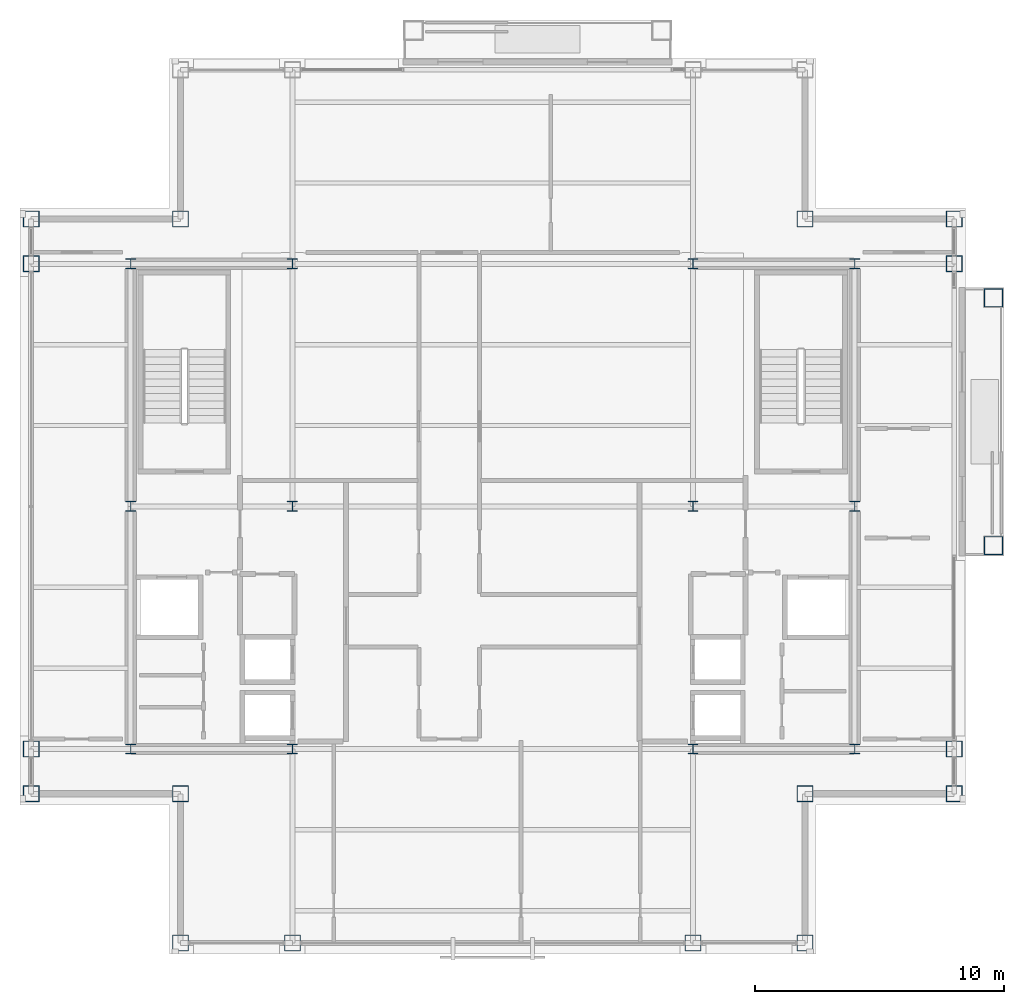
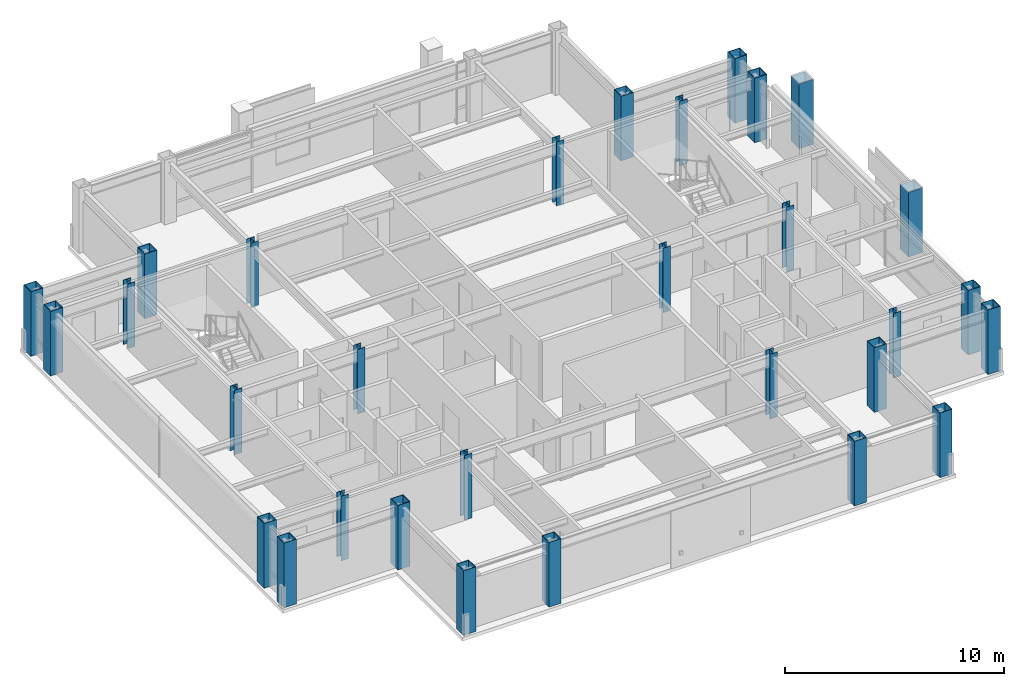
# One storey, part 1 of 24: 30 columns.
"""IFC4 building model written with IfcOpenShell, lengths in metres."""

import ifcopenshell
import ifcopenshell.guid

model = None  # the IFC model being written
_history = None  # IfcOwnerHistory: only IFC2X3 demands one
_inside = {}  # id of a spatial element -> (the spatial element, [elements in it])
_under = {}  # id of a project, library or spatial element -> (it, [spatial elements below it])
_declared = {}  # id of a project -> (the project, [libraries it declares])
_typed = {}  # id of a type object -> (the type object, [elements of that type])
_made_of = {}  # id of a material, layer set ... -> (it, [elements and type objects made of it])


def new_model(schema):
    """Start an empty IFC model of exactly this schema.

    Asked for "IFC4X3", IfcOpenShell would pick the latest addendum, in which some entities
    have other attributes; the version numbers below select the first issue.
    IFC2X3 requires an IfcOwnerHistory on every rooted entity: one is made here for all.
    """
    global model, _history
    if schema == "IFC4X3":
        model = ifcopenshell.file(schema_version=(4, 3, 0, 0))
    else:
        model = ifcopenshell.file(schema=schema)
    _inside.clear()
    _under.clear()
    _declared.clear()
    _typed.clear()
    _made_of.clear()
    _history = None
    if model.schema == "IFC2X3":
        org = make("IfcOrganization", Name="unknown")
        user = make(
            "IfcPersonAndOrganization",
            ThePerson=make("IfcPerson", FamilyName="unknown"),
            TheOrganization=org,
        )
        app = make(
            "IfcApplication",
            ApplicationDeveloper=org,
            Version="unknown",
            ApplicationFullName="unknown",
            ApplicationIdentifier="unknown",
        )
        _history = make(
            "IfcOwnerHistory",
            OwningUser=user,
            OwningApplication=app,
            ChangeAction="ADDED",
            CreationDate=0,
        )
    return model


def make(cls, **values):
    """One entity of the class cls with the attributes given. An attribute that is None is left unset."""
    return model.create_entity(
        cls, **{name: value for name, value in values.items() if value is not None}
    )


def rooted(cls, **values):
    """An entity with a GlobalId (a new one), such as an element, a storey or a relation."""
    return make(cls, GlobalId=ifcopenshell.guid.new(), OwnerHistory=_history, **values)


def si_unit(unit_type, name, prefix=None):
    """IfcSIUnit, for example si_unit("LENGTHUNIT", "METRE", prefix="MILLI")."""
    return make("IfcSIUnit", UnitType=unit_type, Prefix=prefix, Name=name)


def assignment(units):
    """IfcUnitAssignment: the units of a project."""
    return None if units is None else make("IfcUnitAssignment", Units=units)


def point(xyz):
    """IfcCartesianPoint."""
    return None if xyz is None else make("IfcCartesianPoint", Coordinates=xyz)


def direction(xyz):
    """IfcDirection."""
    return None if xyz is None else make("IfcDirection", DirectionRatios=xyz)


def frame(location, z_axis=None, x_axis=None):
    """IfcAxis2Placement3D, a coordinate frame: its origin and axes. An axis left out is left unset."""
    return make(
        "IfcAxis2Placement3D",
        Location=point(location),
        Axis=direction(z_axis),
        RefDirection=direction(x_axis),
    )


def frame_2d(location, x_axis=None):
    """IfcAxis2Placement2D, a coordinate frame in the plane: its origin and x axis."""
    return make(
        "IfcAxis2Placement2D", Location=point(location), RefDirection=direction(x_axis)
    )


def origin():
    """The frame at (0, 0, 0) with its axes left unset."""
    return frame((0.0, 0.0, 0.0))


def origin_2d():
    """The frame at (0, 0) in the plane with its x axis left unset."""
    return frame_2d((0.0, 0.0))


def place(relative_to, where):
    """IfcLocalPlacement: puts the frame where relative to a parent placement (None: the world)."""
    return make(
        "IfcLocalPlacement", PlacementRelTo=relative_to, RelativePlacement=where
    )


def context(
    kind, dimensions, precision=None, world=None, true_north=None, identifier=None
):
    """IfcGeometricRepresentationContext, for example the 3D "Model" context."""
    return make(
        "IfcGeometricRepresentationContext",
        ContextIdentifier=identifier,
        ContextType=kind,
        CoordinateSpaceDimension=dimensions,
        Precision=precision,
        WorldCoordinateSystem=world,
        TrueNorth=true_north,
    )


def subcontext(parent, identifier, kind, view, scale=None):
    """IfcGeometricRepresentationSubContext, for example "Body" below "Model"."""
    return make(
        "IfcGeometricRepresentationSubContext",
        ContextIdentifier=identifier,
        ContextType=kind,
        ParentContext=parent,
        TargetScale=scale,
        TargetView=view,
    )


def project(units=None, contexts=None):
    """IfcProject with its units and contexts."""
    return rooted(
        "IfcProject",
        Name="project",
        RepresentationContexts=contexts,
        UnitsInContext=assignment(units),
    )


def spatial(cls, under=None, at=None, **own):
    """A site, building, storey or space (cls), placed at a placement, below another one or the project."""
    s = rooted(cls, ObjectPlacement=at, **own)
    if under is not None:
        _under.setdefault(under.id(), (under, []))[1].append(s)
    return s


def profile(cls, at=None, kind="AREA", **sizes):
    """A parametric profile (cls). Its sizes go by their IFC names, for example OverallWidth=200.0."""
    return make(cls, ProfileType=kind, Position=at, **sizes)


def hollow_rectangle(**sizes):
    """IfcRectangleHollowProfileDef."""
    return profile("IfcRectangleHollowProfileDef", **sizes)


def i_section(**sizes):
    """IfcIShapeProfileDef."""
    return profile("IfcIShapeProfileDef", **sizes)


def extrude(swept, where, along, depth):
    """IfcExtrudedAreaSolid: the profile swept, set in the frame where, extruded along a direction by depth."""
    return make(
        "IfcExtrudedAreaSolid",
        SweptArea=swept,
        Position=where,
        ExtrudedDirection=direction(along),
        Depth=depth,
    )


def shape(context_of_items, identifier, shape_type, items):
    """IfcShapeRepresentation: the items that make up one representation, for example the "Body"."""
    return make(
        "IfcShapeRepresentation",
        ContextOfItems=context_of_items,
        RepresentationIdentifier=identifier,
        RepresentationType=shape_type,
        Items=items,
    )


def material(Name=None, Category=None):
    """IfcMaterial."""
    return make("IfcMaterial", Name=Name, Category=Category)


def material_profile(
    of_material, cross_section, Name=None, Category=None, Priority=None
):
    """IfcMaterialProfile: a cross section and its material."""
    return make(
        "IfcMaterialProfile",
        Name=Name,
        Material=of_material,
        Profile=cross_section,
        Priority=Priority,
        Category=Category,
    )


def profile_set(profiles, Name=None, composite=None):
    """IfcMaterialProfileSet."""
    return make(
        "IfcMaterialProfileSet",
        Name=Name,
        MaterialProfiles=profiles,
        CompositeProfile=composite,
    )


def made_of(thing, what):
    """Note that an element or type object is made of a material, layer set ...; save() writes the relation."""
    if what is not None:
        _made_of.setdefault(what.id(), (what, []))[1].append(thing)
    return thing


def type_object(cls, material=None, **own):
    """A type object (cls), such as IfcWallType, which elements share."""
    return made_of(rooted(cls, **own), material)


def element(
    cls,
    number,
    at=None,
    inside=None,
    cuts=None,
    type_object=None,
    material=None,
    context=None,
    identifier="Body",
    shape_type=None,
    held_by="IfcProductDefinitionShape",
    body=None,
    shapes=None,
    **own,
):
    """One element of the class cls, such as IfcWall. Its Tag is "e" and its number.

    at: its placement. inside: the storey or other place that contains it. cuts: it is an
    opening in that element (IfcRelVoidsElement). A single representation is given by context,
    identifier, shape_type and body (its items); several are given by shapes. held_by: the class
    of the entity that holds the representations. save() writes the other relations.
    """
    e = rooted(cls, Tag="e%d" % number, ObjectPlacement=at, **own)
    if body is not None:
        shapes = [shape(context, identifier, shape_type, body)]
    if shapes is not None:
        e.Representation = make(held_by, Representations=shapes)
    if inside is not None:
        _inside.setdefault(inside.id(), (inside, []))[1].append(e)
    if cuts is not None:
        rooted(
            "IfcRelVoidsElement", RelatingBuildingElement=cuts, RelatedOpeningElement=e
        )
    if type_object is not None:
        _typed.setdefault(type_object.id(), (type_object, []))[1].append(e)
    return made_of(e, material)


def aggregate(whole, parts):
    """IfcRelAggregates: a whole, such as a stair, and the parts it consists of."""
    return rooted("IfcRelAggregates", RelatingObject=whole, RelatedObjects=parts)


def save(model, path):
    """Write the relations noted so far, then the file.

    IfcRelAggregates (storeys below a building ...), IfcRelContainedInSpatialStructure (elements
    in a storey), IfcRelDefinesByType, IfcRelAssociatesMaterial and IfcRelDeclares: one each for
    every whole, place, type object, material and project.
    """
    for whole, parts in _under.values():
        aggregate(whole, parts)
    for where, things in _inside.values():
        rooted(
            "IfcRelContainedInSpatialStructure",
            RelatedElements=things,
            RelatingStructure=where,
        )
    for kind, things in _typed.values():
        rooted("IfcRelDefinesByType", RelatedObjects=things, RelatingType=kind)
    for what, things in _made_of.values():
        rooted("IfcRelAssociatesMaterial", RelatedObjects=things, RelatingMaterial=what)
    for by, libraries in _declared.values():
        rooted("IfcRelDeclares", RelatingContext=by, RelatedDefinitions=libraries)
    model.write(path)


model = new_model("IFC4")

# Units and contexts
model_context = context("Model", 3, precision=1e-05, world=origin(), true_north=direction((0.0, 1.0)))
body_context = subcontext(model_context, "Body", "Model", "MODEL_VIEW")
ifc_project = project(units=[si_unit("LENGTHUNIT", "METRE"), si_unit("AREAUNIT", "SQUARE_METRE"), si_unit("VOLUMEUNIT", "CUBIC_METRE"), si_unit("PLANEANGLEUNIT", "RADIAN"), si_unit("MASSUNIT", "GRAM", prefix="KILO")], contexts=[model_context])

# Site, building, storey
site_placement = place(None, origin())
site = spatial("IfcSite", under=ifc_project, at=site_placement, CompositionType="ELEMENT")
building_placement = place(site_placement, origin())
building = spatial("IfcBuilding", under=site, at=building_placement, Name="Brelmoor Portico Tower", CompositionType="ELEMENT")
storey_placement = place(building_placement, frame((0.0, 0.0, 232.800048828125)))
storey = spatial("IfcBuildingStorey", under=building, at=storey_placement, Name="L61", CompositionType="ELEMENT", Elevation=232.800048828125)

# Columns
ifc_material = material(Name="Steel Q355B", Category="steel")
ifc_material_profile_1 = material_profile(ifc_material, hollow_rectangle(XDim=0.64990234375, YDim=0.64990234375, WallThickness=0.028076171875, at=origin_2d()), Name="BOX 650x650x28")
ifc_profile_set_1 = profile_set([ifc_material_profile_1], Name="Steel Q355B")
column_type_1 = type_object("IfcColumnType", Name="COL-MEGA-650", PredefinedType="COLUMN", material=ifc_profile_set_1)
for number, where, z_axis, x_axis, name in (
    (1, (-12.550048828125, -17.550048828125, 0.0), (0.0, 0.0, 1.0), (1.0, 0.0, 0.0), "L61 Perimeter Mega-Column PS01"),
    (2, (-8.050048828125, -17.550048828125, 0.0), (0.0, 0.0, 1.0), (1.0, 0.0, 0.0), "L61 Perimeter Mega-Column PS02"),
    (3, (8.050048828125, -17.550048828125, 0.0), (0.0, 0.0, 1.0), (1.0, 0.0, 0.0), "L61 Perimeter Mega-Column PS03"),
    (4, (12.550048828125, -17.550048828125, 0.0), (0.0, 0.0, 1.0), (1.0, 0.0, 0.0), "L61 Perimeter Mega-Column PS04"),
    (5, (-18.550048828125, -11.550048828125, 0.0), (0.0, 0.0, 1.0), (0.0, 1.0, 0.0), "L61 Perimeter Mega-Column PW01"),
    (6, (-18.550048828125, -9.75, 0.0), (0.0, 0.0, 1.0), (0.0, 1.0, 0.0), "L61 Perimeter Mega-Column PW02"),
    (7, (-18.550048828125, 9.75, 0.0), (0.0, 0.0, 1.0), (0.0, 1.0, 0.0), "L61 Perimeter Mega-Column PW03"),
    (8, (-18.550048828125, 11.550048828125, 0.0), (0.0, 0.0, 1.0), (0.0, 1.0, 0.0), "L61 Perimeter Mega-Column PW04"),
    (9, (18.550048828125, -11.550048828125, 0.0), (0.0, 0.0, 1.0), (0.0, 1.0, 0.0), "L61 Perimeter Mega-Column PE01"),
    (10, (18.550048828125, -9.75, 0.0), (0.0, 0.0, 1.0), (0.0, 1.0, 0.0), "L61 Perimeter Mega-Column PE02"),
    (11, (18.550048828125, 9.75, 0.0), (0.0, 0.0, 1.0), (0.0, 1.0, 0.0), "L61 Perimeter Mega-Column PE03"),
    (12, (18.550048828125, 11.550048828125, 0.0), (0.0, 0.0, 1.0), (0.0, 1.0, 0.0), "L61 Perimeter Mega-Column PE04"),
    (13, (-12.550048828125, 11.550048828125, 0.0), (0.0, 0.0, 1.0), (1.0, 0.0, 0.0), "L61 Perimeter Mega-Column PC-NW"),
    (14, (12.550048828125, 11.550048828125, 0.0), (0.0, 0.0, 1.0), (1.0, 0.0, 0.0), "L61 Perimeter Mega-Column PC-NE"),
    (15, (12.550048828125, -11.550048828125, 0.0), (0.0, 0.0, 1.0), (1.0, 0.0, 0.0), "L61 Perimeter Mega-Column PC-SE"),
    (16, (-12.550048828125, -11.550048828125, 0.0), (0.0, 0.0, 1.0), (1.0, 0.0, 0.0), "L61 Perimeter Mega-Column PC-SW"),
):
    element("IfcColumn", number, at=place(storey_placement, frame(where, z_axis=z_axis, x_axis=x_axis)), inside=storey, type_object=column_type_1, Name=name, PredefinedType="COLUMN", context=body_context, shape_type="SweptSolid", body=[
        extrude(hollow_rectangle(XDim=0.64990234375, YDim=0.64990234375, WallThickness=0.028076171875, at=origin_2d()), origin(), (0.0, 0.0, 1.0), 3.599853515625),
    ])
ifc_material_profile_2 = material_profile(ifc_material, hollow_rectangle(XDim=0.75, YDim=0.75, WallThickness=0.031982421875, at=origin_2d()), Name="BOX 750x750x32")
ifc_profile_set_2 = profile_set([ifc_material_profile_2], Name="Steel Q355B")
column_type_2 = type_object("IfcColumnType", Name="COL-MEGA-750", PredefinedType="COLUMN", material=ifc_profile_set_2)
for number, where, z_axis, x_axis, name in (
    (17, (20.1298828125, -1.580078125, 0.0), (0.0, 0.0, 1.0), (0.0, 1.0, 0.0), "L61 Proud Picture-Frame Pier PFJ-E1"),
    (18, (20.1298828125, 8.3798828125, 0.0), (0.0, 0.0, 1.0), (0.0, 1.0, 0.0), "L61 Proud Picture-Frame Pier PFJ-E2"),
):
    element("IfcColumn", number, at=place(storey_placement, frame(where, z_axis=z_axis, x_axis=x_axis)), inside=storey, type_object=column_type_2, Name=name, PredefinedType="COLUMN", context=body_context, shape_type="SweptSolid", body=[
        extrude(hollow_rectangle(XDim=0.75, YDim=0.75, WallThickness=0.031982421875, at=origin_2d()), origin(), (0.0, 0.0, 1.0), 3.599853515625),
    ])
ifc_material_profile_3 = material_profile(ifc_material, i_section(OverallWidth=0.39990234375, OverallDepth=0.39990234375, WebThickness=0.012939453125, FlangeThickness=0.02099609375, at=origin_2d()), Name="HW 400x400x13x21")
ifc_profile_set_3 = profile_set([ifc_material_profile_3], Name="Steel Q355B")
column_type_3 = type_object("IfcColumnType", Name="COL-SPINE-400", PredefinedType="COLUMN", material=ifc_profile_set_3)
for number, where, z_axis, x_axis, name in (
    (19, (-14.550048828125, -9.75, 0.0), (0.0, 0.0, 1.0), (1.0, 0.0, 0.0), "L61 Core Spine Column CW-SW"),
    (20, (-14.550048828125, 0.0, 0.0), (0.0, 0.0, 1.0), (1.0, 0.0, 0.0), "L61 Core Spine Column CW-MW"),
    (21, (-14.550048828125, 9.75, 0.0), (0.0, 0.0, 1.0), (1.0, 0.0, 0.0), "L61 Core Spine Column CW-NW"),
    (22, (-8.050048828125, -9.75, 0.0), (0.0, 0.0, 1.0), (1.0, 0.0, 0.0), "L61 Core Spine Column CW-SE"),
    (23, (-8.050048828125, 0.0, 0.0), (0.0, 0.0, 1.0), (1.0, 0.0, 0.0), "L61 Core Spine Column CW-ME"),
    (24, (-8.050048828125, 9.75, 0.0), (0.0, 0.0, 1.0), (1.0, 0.0, 0.0), "L61 Core Spine Column CW-NE"),
    (25, (8.050048828125, -9.75, 0.0), (0.0, 0.0, 1.0), (1.0, 0.0, 0.0), "L61 Core Spine Column CE-SW"),
    (26, (8.050048828125, 0.0, 0.0), (0.0, 0.0, 1.0), (1.0, 0.0, 0.0), "L61 Core Spine Column CE-MW"),
    (27, (8.050048828125, 9.75, 0.0), (0.0, 0.0, 1.0), (1.0, 0.0, 0.0), "L61 Core Spine Column CE-NW"),
    (28, (14.550048828125, -9.75, 0.0), (0.0, 0.0, 1.0), (1.0, 0.0, 0.0), "L61 Core Spine Column CE-SE"),
    (29, (14.550048828125, 0.0, 0.0), (0.0, 0.0, 1.0), (1.0, 0.0, 0.0), "L61 Core Spine Column CE-ME"),
    (30, (14.550048828125, 9.75, 0.0), (0.0, 0.0, 1.0), (1.0, 0.0, 0.0), "L61 Core Spine Column CE-NE"),
):
    element("IfcColumn", number, at=place(storey_placement, frame(where, z_axis=z_axis, x_axis=x_axis)), inside=storey, type_object=column_type_3, Name=name, PredefinedType="COLUMN", context=body_context, shape_type="SweptSolid", body=[
        extrude(i_section(OverallWidth=0.39990234375, OverallDepth=0.39990234375, WebThickness=0.012939453125, FlangeThickness=0.02099609375, at=origin_2d()), origin(), (0.0, 0.0, 1.0), 3.599853515625),
    ])

save(model, "model.ifc")
